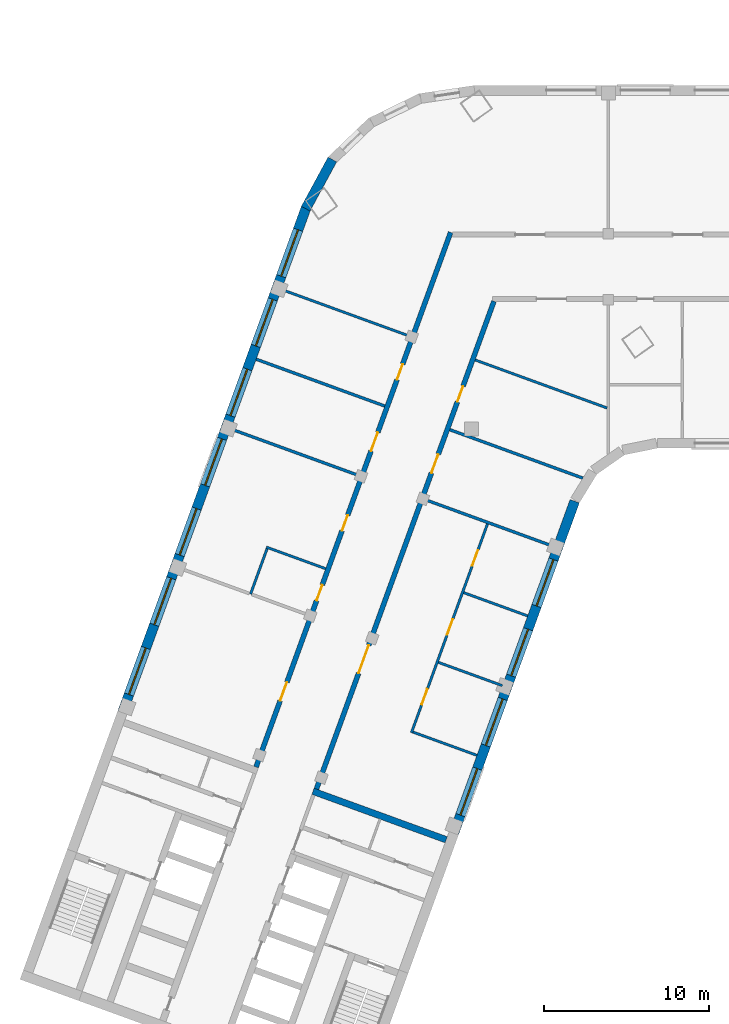
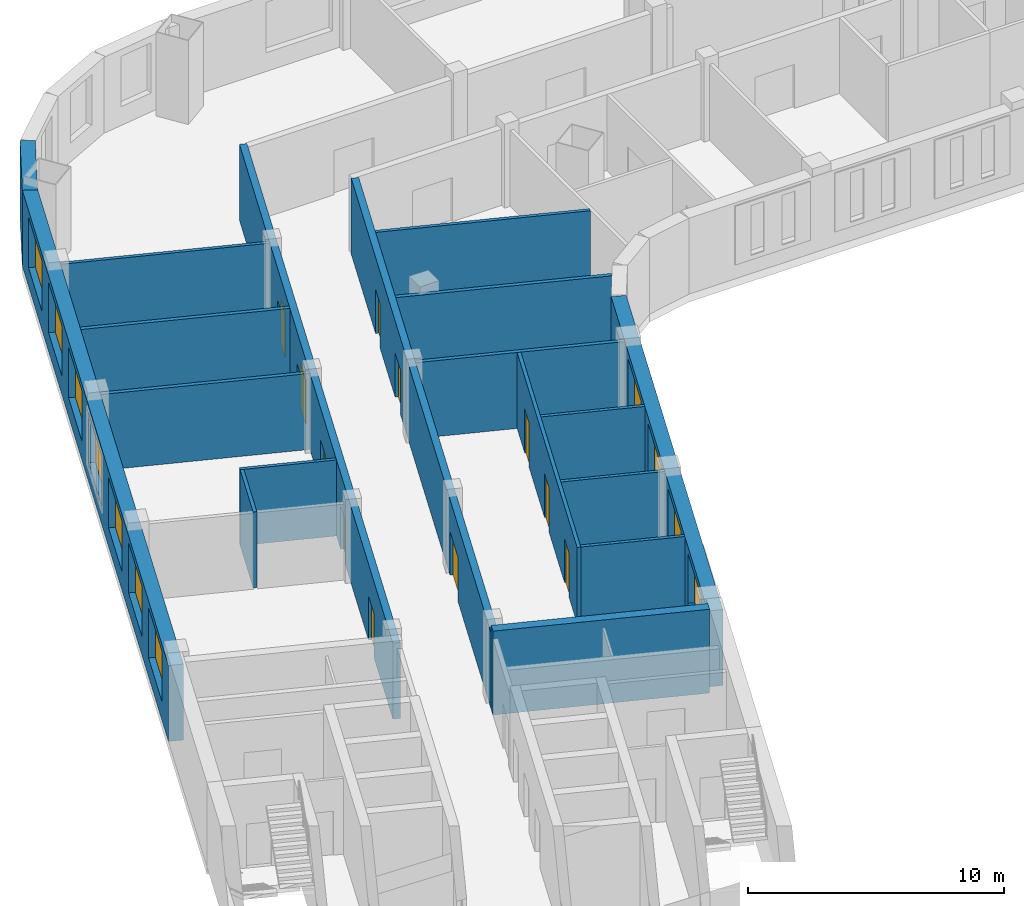
# One storey, part 3 of 14: 18 walls, 11 doors, 11 windows, 22 openings.
"""IFC4 building model written with IfcOpenShell, lengths in metres."""

from ifc_helpers import new_model, si_unit, direction, frame, frame_2d, origin, place, context, subcontext, project, spatial, rectangle, extrude, material, layer, layer_set, type_object, element, fill, save


model = new_model("IFC4")

# Units and contexts
model_context = context("Model", 3, precision=1e-05, world=origin(), true_north=direction((0.0, 1.0)))
body_context = subcontext(model_context, "Body", "Model", "MODEL_VIEW")
ifc_project = project(units=[si_unit("LENGTHUNIT", "METRE"), si_unit("AREAUNIT", "SQUARE_METRE"), si_unit("VOLUMEUNIT", "CUBIC_METRE"), si_unit("PLANEANGLEUNIT", "RADIAN"), si_unit("MASSUNIT", "GRAM", prefix="KILO")], contexts=[model_context])

# Site, building, storey
site_placement = place(None, origin())
site = spatial("IfcSite", under=ifc_project, at=site_placement, CompositionType="ELEMENT")
building_placement = place(site_placement, origin())
building = spatial("IfcBuilding", under=site, at=building_placement, Name="Skarvind Civic Tower", CompositionType="ELEMENT")
storey_placement = place(building_placement, frame((0.0, 0.0, 89.0)))
storey = spatial("IfcBuildingStorey", under=building, at=storey_placement, Name="L20", CompositionType="ELEMENT", Elevation=89.0)

# Walls
ifc_material_1 = material(Name="Acoustic gypsum board on steel studs", Category="steel")
ifc_layer_1 = layer(ifc_material_1, 0.175048828125)
ifc_layer_set_1 = layer_set([ifc_layer_1], Name="ACOUSTIC MEETING-ROOM PARTITION 175")
wall_type_1 = type_object("IfcWallType", Name="ACOUSTIC MEETING-ROOM PARTITION 175", PredefinedType="PARTITIONING", material=ifc_layer_set_1)
wall_1_placement = place(storey_placement, frame((31.35302734375, 118.166015625, 0.0), z_axis=(0.0, 0.0, 1.0), x_axis=(0.939687752599, -0.342033518263, 0.0)))
element("IfcWall", 1, at=wall_1_placement, inside=storey, type_object=wall_type_1, Name="Partition 20.002", PredefinedType="PARTITIONING", context=body_context, shape_type="SweptSolid", body=[
    extrude(rectangle(XDim=8.30078125, YDim=0.175048828125, at=frame_2d((4.150390625, 0.0))), origin(), (0.0, 0.0, 1.0), 3.625),
])
wall_2_placement = place(storey_placement, frame((32.89208984375, 122.39501953125, 0.0), z_axis=(0.0, 0.0, 1.0), x_axis=(0.939684311623, -0.3420429717, 0.0)))
element("IfcWall", 2, at=wall_2_placement, inside=storey, type_object=wall_type_1, Name="Partition 20.006", PredefinedType="PARTITIONING", context=body_context, shape_type="SweptSolid", body=[
    extrude(rectangle(XDim=8.300537109375, YDim=0.175048828125, at=frame_2d((4.150390625, 0.0))), origin(), (0.0, 0.0, 1.0), 3.625),
])
wall_3_placement = place(storey_placement, frame((43.10009765625, 113.89111328125, 0.0), z_axis=(0.0, 0.0, 1.0), x_axis=(0.939670544866, -0.342080790328, 0.0)))
element("IfcWall", 3, at=wall_3_placement, inside=storey, type_object=wall_type_1, Name="Partition 20.011", PredefinedType="PARTITIONING", context=body_context, shape_type="SweptSolid", body=[
    extrude(rectangle(XDim=8.299560546875, YDim=0.175048828125, at=frame_2d((4.14990234375, 0.0))), origin(), (0.0, 0.0, 1.0), 3.625),
])
wall_4_placement = place(storey_placement, frame((44.638916015625, 118.1201171875, 0.0), z_axis=(0.0, 0.0, 1.0), x_axis=(0.939669707102, -0.342083091593, 0.0)))
element("IfcWall", 4, at=wall_4_placement, inside=storey, type_object=wall_type_1, Name="Partition 20.013", PredefinedType="PARTITIONING", context=body_context, shape_type="SweptSolid", body=[
    extrude(rectangle(XDim=8.58935546875, YDim=0.175048828125, at=frame_2d((4.294677734375, 0.0))), origin(), (0.0, 0.0, 1.0), 3.625),
])

# Wall, openings, doors
ifc_material_2 = material(Name="Fire-rated gypsum board on steel studs", Category="steel")
ifc_layer_2 = layer(ifc_material_2, 0.300048828125)
ifc_layer_set_2 = layer_set([ifc_layer_2], Name="CORRIDOR WALL 300")
wall_type_2 = type_object("IfcWallType", Name="CORRIDOR WALL 300", PredefinedType="PARTITIONING", material=ifc_layer_set_2)
wall_5_placement = place(storey_placement, frame((32.881103515625, 97.656982421875, 0.0), z_axis=(0.0, 0.0, 1.0), x_axis=(0.342017360004, 0.939693633828, 0.0)))
wall_5 = element("IfcWall", 5, at=wall_5_placement, inside=storey, type_object=wall_type_2, Name="Partition 20.005", PredefinedType="PARTITIONING", context=body_context, shape_type="SweptSolid", body=[
    extrude(rectangle(XDim=34.515625, YDim=0.300048828125, at=frame_2d((17.2578125, 0.0))), origin(), (0.0, 0.0, 1.0), 3.625),
])
opening_1_placement = place(wall_5_placement, frame((4.27490234375, 0.0, 0.0)))
opening_1 = element("IfcOpeningElement", 6, at=opening_1_placement, cuts=wall_5, Name="Opening L20-D017", PredefinedType="OPENING", context=body_context, shape_type="SweptSolid", body=[
    extrude(rectangle(XDim=1.199951171875, YDim=2.10009765625, at=frame_2d((0.60009765625, 1.050048828125))), frame((0.0, 0.159912109375, 0.0), z_axis=(0.0, -1.0, 0.0), x_axis=(1.0, 0.0, 0.0)), (0.0, 0.0, 1.0), 0.320068359375),
])
opening_2_placement = place(wall_5_placement, frame((10.75, 0.0, 0.0)))
opening_2 = element("IfcOpeningElement", 7, at=opening_2_placement, cuts=wall_5, Name="Opening L20-D018", PredefinedType="OPENING", context=body_context, shape_type="SweptSolid", body=[
    extrude(rectangle(XDim=1.0, YDim=2.10009765625, at=frame_2d((0.5, 1.050048828125))), frame((0.0, 0.159912109375, 0.0), z_axis=(0.0, -1.0, 0.0), x_axis=(1.0, 0.0, 0.0)), (0.0, 0.0, 1.0), 0.320068359375),
])
opening_3_placement = place(wall_5_placement, frame((15.249755859375, 0.0, 0.0)))
opening_3 = element("IfcOpeningElement", 8, at=opening_3_placement, cuts=wall_5, Name="Opening L20-D019", PredefinedType="OPENING", context=body_context, shape_type="SweptSolid", body=[
    extrude(rectangle(XDim=1.0, YDim=2.10009765625, at=frame_2d((0.5, 1.050048828125))), frame((0.0, 0.159912109375, 0.0), z_axis=(0.0, -1.0, 0.0), x_axis=(1.0, 0.0, 0.0)), (0.0, 0.0, 1.0), 0.320068359375),
])
opening_4_placement = place(wall_5_placement, frame((20.39990234375, 0.0, 0.0)))
opening_4 = element("IfcOpeningElement", 9, at=opening_4_placement, cuts=wall_5, Name="Opening L20-D020", PredefinedType="OPENING", context=body_context, shape_type="SweptSolid", body=[
    extrude(rectangle(XDim=1.199951171875, YDim=2.10009765625, at=frame_2d((0.60009765625, 1.050048828125))), frame((0.0, 0.159912109375, 0.0), z_axis=(0.0, -1.0, 0.0), x_axis=(1.0, 0.0, 0.0)), (0.0, 0.0, 1.0), 0.320068359375),
])
opening_5_placement = place(wall_5_placement, frame((25.000244140625, 0.0, 0.0)))
opening_5 = element("IfcOpeningElement", 10, at=opening_5_placement, cuts=wall_5, Name="Opening L20-D021", PredefinedType="OPENING", context=body_context, shape_type="SweptSolid", body=[
    extrude(rectangle(XDim=1.0, YDim=2.10009765625, at=frame_2d((0.5, 1.050048828125))), frame((0.0, 0.159912109375, 0.0), z_axis=(0.0, -1.0, 0.0), x_axis=(1.0, 0.0, 0.0)), (0.0, 0.0, 1.0), 0.320068359375),
])
ifc_material_3 = material(Name="Fire-rated timber door leaf", Category="wood")
door_type_1 = type_object("IfcDoorType", Name="FD1 1000x2100", OperationType="NOTDEFINED", PredefinedType="DOOR", material=ifc_material_3)
door_1_placement = place(opening_2_placement, origin())
door_1 = element("IfcDoor", 11, at=door_1_placement, inside=storey, type_object=door_type_1, Name="Door L20-D018", OperationType="SINGLE_SWING_RIGHT", OverallHeight=2.10009765625, OverallWidth=1.0, PredefinedType="DOOR", context=body_context, shape_type="SweptSolid", body=[
    extrude(rectangle(XDim=1.0, YDim=2.10009765625, at=frame_2d((0.5, 1.050048828125))), frame((0.0, 0.02490234375, 0.0), z_axis=(0.0, -1.0, 0.0), x_axis=(1.0, 0.0, 0.0)), (0.0, 0.0, 1.0), 0.050048828125),
])
fill(opening_2, door_1)
door_2_placement = place(opening_3_placement, origin())
door_2 = element("IfcDoor", 12, at=door_2_placement, inside=storey, type_object=door_type_1, Name="Door L20-D019", OperationType="SINGLE_SWING_LEFT", OverallHeight=2.10009765625, OverallWidth=1.0, PredefinedType="DOOR", context=body_context, shape_type="SweptSolid", body=[
    extrude(rectangle(XDim=1.0, YDim=2.10009765625, at=frame_2d((0.5, 1.050048828125))), frame((0.0, 0.02490234375, 0.0), z_axis=(0.0, -1.0, 0.0), x_axis=(1.0, 0.0, 0.0)), (0.0, 0.0, 1.0), 0.050048828125),
])
fill(opening_3, door_2)
door_3_placement = place(opening_5_placement, origin())
door_3 = element("IfcDoor", 13, at=door_3_placement, inside=storey, type_object=door_type_1, Name="Door L20-D021", OperationType="SINGLE_SWING_RIGHT", OverallHeight=2.10009765625, OverallWidth=1.0, PredefinedType="DOOR", context=body_context, shape_type="SweptSolid", body=[
    extrude(rectangle(XDim=1.0, YDim=2.10009765625, at=frame_2d((0.5, 1.050048828125))), frame((0.0, 0.02490234375, 0.0), z_axis=(0.0, -1.0, 0.0), x_axis=(1.0, 0.0, 0.0)), (0.0, 0.0, 1.0), 0.050048828125),
])
fill(opening_5, door_3)
door_type_2 = type_object("IfcDoorType", Name="FD6 1200x2100 DOUBLE", OperationType="NOTDEFINED", PredefinedType="DOOR", material=ifc_material_3)
door_4_placement = place(opening_1_placement, origin())
door_4 = element("IfcDoor", 14, at=door_4_placement, inside=storey, type_object=door_type_2, Name="Door L20-D017", OperationType="DOUBLE_DOOR_SINGLE_SWING", OverallHeight=2.10009765625, OverallWidth=1.199951171875, PredefinedType="DOOR", context=body_context, shape_type="SweptSolid", body=[
    extrude(rectangle(XDim=1.199951171875, YDim=2.10009765625, at=frame_2d((0.60009765625, 1.050048828125))), frame((0.0, 0.02490234375, 0.0), z_axis=(0.0, -1.0, 0.0), x_axis=(1.0, 0.0, 0.0)), (0.0, 0.0, 1.0), 0.050048828125),
])
fill(opening_1, door_4)
door_5_placement = place(opening_4_placement, origin())
door_5 = element("IfcDoor", 15, at=door_5_placement, inside=storey, type_object=door_type_2, Name="Door L20-D020", OperationType="DOUBLE_DOOR_SINGLE_SWING", OverallHeight=2.10009765625, OverallWidth=1.199951171875, PredefinedType="DOOR", context=body_context, shape_type="SweptSolid", body=[
    extrude(rectangle(XDim=1.199951171875, YDim=2.10009765625, at=frame_2d((0.60009765625, 1.050048828125))), frame((0.0, 0.02490234375, 0.0), z_axis=(0.0, -1.0, 0.0), x_axis=(1.0, 0.0, 0.0)), (0.0, 0.0, 1.0), 0.050048828125),
])
fill(opening_4, door_5)

wall_6_placement = place(storey_placement, frame((47.31396484375, 125.908935546875, 0.0), z_axis=(0.0, 0.0, 1.0), x_axis=(-0.342010770371, -0.939696032209, 0.0)))
wall_6 = element("IfcWall", 16, at=wall_6_placement, inside=storey, type_object=wall_type_2, Name="Partition 20.016", PredefinedType="PARTITIONING", context=body_context, shape_type="SweptSolid", body=[
    extrude(rectangle(XDim=31.484619140625, YDim=0.300048828125, at=frame_2d((15.7421875, 0.0))), origin(), (0.0, 0.0, 1.0), 3.625),
])
opening_6_placement = place(wall_6_placement, frame((22.209716796875, 0.0, 0.0)))
opening_6 = element("IfcOpeningElement", 17, at=opening_6_placement, cuts=wall_6, Name="Opening L20-D025", PredefinedType="OPENING", context=body_context, shape_type="SweptSolid", body=[
    extrude(rectangle(XDim=1.800048828125, YDim=2.10009765625, at=frame_2d((0.89990234375, 1.050048828125))), frame((0.0, 0.159912109375, 0.0), z_axis=(0.0, -1.0, 0.0), x_axis=(1.0, 0.0, 0.0)), (0.0, 0.0, 1.0), 0.320068359375),
])
opening_7_placement = place(wall_6_placement, frame((9.884521484375, 0.0, 0.0)))
opening_7 = element("IfcOpeningElement", 18, at=opening_7_placement, cuts=wall_6, Name="Opening L20-D026", PredefinedType="OPENING", context=body_context, shape_type="SweptSolid", body=[
    extrude(rectangle(XDim=1.199951171875, YDim=2.10009765625, at=frame_2d((0.60009765625, 1.050048828125))), frame((0.0, 0.159912109375, 0.0), z_axis=(0.0, -1.0, 0.0), x_axis=(1.0, 0.0, 0.0)), (0.0, 0.0, 1.0), 0.320068359375),
])
opening_8_placement = place(wall_6_placement, frame((5.484130859375, 0.0, 0.0)))
opening_8 = element("IfcOpeningElement", 19, at=opening_8_placement, cuts=wall_6, Name="Opening L20-D027", PredefinedType="OPENING", context=body_context, shape_type="SweptSolid", body=[
    extrude(rectangle(XDim=1.0, YDim=2.10009765625, at=frame_2d((0.5, 1.050048828125))), frame((0.0, 0.159912109375, 0.0), z_axis=(0.0, -1.0, 0.0), x_axis=(1.0, 0.0, 0.0)), (0.0, 0.0, 1.0), 0.320068359375),
])
door_6_placement = place(opening_8_placement, origin())
door_6 = element("IfcDoor", 20, at=door_6_placement, inside=storey, type_object=door_type_1, Name="Door L20-D027", OperationType="SINGLE_SWING_LEFT", OverallHeight=2.10009765625, OverallWidth=1.0, PredefinedType="DOOR", context=body_context, shape_type="SweptSolid", body=[
    extrude(rectangle(XDim=1.0, YDim=2.10009765625, at=frame_2d((0.5, 1.050048828125))), frame((0.0, 0.02490234375, 0.0), z_axis=(0.0, -1.0, 0.0), x_axis=(1.0, 0.0, 0.0)), (0.0, 0.0, 1.0), 0.050048828125),
])
fill(opening_8, door_6)
door_type_3 = type_object("IfcDoorType", Name="FD4 1800x2100", OperationType="NOTDEFINED", PredefinedType="DOOR", material=ifc_material_3)
door_7_placement = place(opening_6_placement, origin())
door_7 = element("IfcDoor", 21, at=door_7_placement, inside=storey, type_object=door_type_3, Name="Door L20-D025", OperationType="DOUBLE_DOOR_SINGLE_SWING", OverallHeight=2.10009765625, OverallWidth=1.800048828125, PredefinedType="DOOR", context=body_context, shape_type="SweptSolid", body=[
    extrude(rectangle(XDim=1.800048828125, YDim=2.10009765625, at=frame_2d((0.89990234375, 1.050048828125))), frame((0.0, 0.02490234375, 0.0), z_axis=(0.0, -1.0, 0.0), x_axis=(1.0, 0.0, 0.0)), (0.0, 0.0, 1.0), 0.050048828125),
])
fill(opening_6, door_7)
door_8_placement = place(opening_7_placement, origin())
door_8 = element("IfcDoor", 22, at=door_8_placement, inside=storey, type_object=door_type_2, Name="Door L20-D026", OperationType="DOUBLE_DOOR_SINGLE_SWING", OverallHeight=2.10009765625, OverallWidth=1.199951171875, PredefinedType="DOOR", context=body_context, shape_type="SweptSolid", body=[
    extrude(rectangle(XDim=1.199951171875, YDim=2.10009765625, at=frame_2d((0.60009765625, 1.050048828125))), frame((0.0, 0.02490234375, 0.0), z_axis=(0.0, -1.0, 0.0), x_axis=(1.0, 0.0, 0.0)), (0.0, 0.0, 1.0), 0.050048828125),
])
fill(opening_7, door_8)

# Walls
ifc_material_4 = material(Name="Concrete C80", Category="concrete")
ifc_layer_3 = layer(ifc_material_4, 0.39990234375)
ifc_layer_set_3 = layer_set([ifc_layer_3], Name="Core wall 400 C80")
wall_type_3 = type_object("IfcWallType", Name="Core wall 400 C80", PredefinedType="SHEAR", material=ifc_layer_set_3)
wall_7_placement = place(storey_placement, frame((44.417724609375, 93.2451171875, 0.0), z_axis=(0.0, 0.0, 1.0), x_axis=(-0.93969060187, 0.342025690201, 0.0)))
element("IfcWall", 23, at=wall_7_placement, inside=storey, type_object=wall_type_3, Name="Core wall C2 south inner face L20", PredefinedType="SHEAR", context=body_context, shape_type="SweptSolid", body=[
    extrude(rectangle(XDim=8.599853515625, YDim=0.39990234375, at=frame_2d((4.2998046875, 0.0))), origin(), (0.0, 0.0, 1.0), 4.0),
])
ifc_material_5 = material(Name="Plasterboard partition on steel studs", Category="steel")
ifc_layer_4 = layer(ifc_material_5, 0.14990234375)
ifc_layer_set_4 = layer_set([ifc_layer_4], Name="PARTITION 150")
wall_type_4 = type_object("IfcWallType", Name="PARTITION 150", PredefinedType="PARTITIONING", material=ifc_layer_set_4)
wall_8_placement = place(storey_placement, frame((32.551025390625, 108.153076171875, 0.0), z_axis=(0.0, 0.0, 1.0), x_axis=(0.341850278959, 0.939754428974, 0.0)))
element("IfcWall", 24, at=wall_8_placement, inside=storey, type_object=wall_type_4, Name="Partition 20.004", PredefinedType="PARTITIONING", context=body_context, shape_type="SweptSolid", body=[
    extrude(rectangle(XDim=2.92529296875, YDim=0.14990234375, at=frame_2d((1.462646484375, 0.0))), origin(), (0.0, 0.0, 1.0), 3.625),
])
wall_9_placement = place(storey_placement, frame((33.507080078125, 110.998046875, 0.0), z_axis=(0.0, 0.0, 1.0), x_axis=(0.939610657605, -0.342245251415, 0.0)))
element("IfcWall", 25, at=wall_9_placement, inside=storey, type_object=wall_type_4, Name="Partition 20.007", PredefinedType="PARTITIONING", context=body_context, shape_type="SweptSolid", body=[
    extrude(rectangle(XDim=3.824951171875, YDim=0.14990234375, at=frame_2d((1.91259765625, 0.0))), origin(), (0.0, 0.0, 1.0), 3.625),
])
wall_10_placement = place(storey_placement, frame((46.281982421875, 98.366943359375, 0.0), z_axis=(0.0, 0.0, 1.0), x_axis=(-0.939765774653, 0.341819087808, 0.0)))
element("IfcWall", 26, at=wall_10_placement, inside=storey, type_object=wall_type_4, Name="Partition 20.008", PredefinedType="PARTITIONING", context=body_context, shape_type="SweptSolid", body=[
    extrude(rectangle(XDim=4.12548828125, YDim=0.14990234375, at=frame_2d((2.062744140625, 0.0))), origin(), (0.0, 0.0, 1.0), 3.625),
])

# Wall, openings, doors
wall_11_placement = place(storey_placement, frame((42.30908203125, 99.73291015625, 0.0), z_axis=(0.0, 0.0, 1.0), x_axis=(0.342023551531, 0.939691380293, 0.0)))
wall_11 = element("IfcWall", 27, at=wall_11_placement, inside=storey, type_object=wall_type_4, Name="Partition 20.009", PredefinedType="PARTITIONING", context=body_context, shape_type="SweptSolid", body=[
    extrude(rectangle(XDim=13.487548828125, YDim=0.14990234375, at=frame_2d((6.74365234375, 0.0))), origin(), (0.0, 0.0, 1.0), 3.625),
])
opening_9_placement = place(wall_11_placement, frame((1.82470703125, 0.0, 0.0)))
opening_9 = element("IfcOpeningElement", 28, at=opening_9_placement, cuts=wall_11, Name="Opening L20-D022", PredefinedType="OPENING", context=body_context, shape_type="SweptSolid", body=[
    extrude(rectangle(XDim=1.0, YDim=2.10009765625, at=frame_2d((0.5, 1.050048828125))), frame((0.0, 0.0849609375, 0.0), z_axis=(0.0, -1.0, 0.0), x_axis=(1.0, 0.0, 0.0)), (0.0, 0.0, 1.0), 0.169921875),
])
opening_10_placement = place(wall_11_placement, frame((6.32470703125, 0.0, 0.0)))
opening_10 = element("IfcOpeningElement", 29, at=opening_10_placement, cuts=wall_11, Name="Opening L20-D023", PredefinedType="OPENING", context=body_context, shape_type="SweptSolid", body=[
    extrude(rectangle(XDim=1.0, YDim=2.10009765625, at=frame_2d((0.5, 1.050048828125))), frame((0.0, 0.0849609375, 0.0), z_axis=(0.0, -1.0, 0.0), x_axis=(1.0, 0.0, 0.0)), (0.0, 0.0, 1.0), 0.169921875),
])
opening_11_placement = place(wall_11_placement, frame((10.791015625, 0.0, 0.0)))
opening_11 = element("IfcOpeningElement", 30, at=opening_11_placement, cuts=wall_11, Name="Opening L20-D024", PredefinedType="OPENING", context=body_context, shape_type="SweptSolid", body=[
    extrude(rectangle(XDim=1.0, YDim=2.10009765625, at=frame_2d((0.5, 1.050048828125))), frame((0.0, 0.0849609375, 0.0), z_axis=(0.0, -1.0, 0.0), x_axis=(1.0, 0.0, 0.0)), (0.0, 0.0, 1.0), 0.169921875),
])
ifc_material_6 = material(Name="Timber door leaf", Category="wood")
door_type_4 = type_object("IfcDoorType", Name="D1 1000x2100", OperationType="NOTDEFINED", PredefinedType="DOOR", material=ifc_material_6)
door_9_placement = place(opening_9_placement, origin())
door_9 = element("IfcDoor", 31, at=door_9_placement, inside=storey, type_object=door_type_4, Name="Door L20-D022", OperationType="SINGLE_SWING_LEFT", OverallHeight=2.10009765625, OverallWidth=1.0, PredefinedType="DOOR", context=body_context, shape_type="SweptSolid", body=[
    extrude(rectangle(XDim=1.0, YDim=2.10009765625, at=frame_2d((0.5, 1.050048828125))), frame((0.0, 0.02490234375, 0.0), z_axis=(0.0, -1.0, 0.0), x_axis=(1.0, 0.0, 0.0)), (0.0, 0.0, 1.0), 0.050048828125),
])
fill(opening_9, door_9)
door_10_placement = place(opening_10_placement, origin())
door_10 = element("IfcDoor", 32, at=door_10_placement, inside=storey, type_object=door_type_4, Name="Door L20-D023", OperationType="SINGLE_SWING_LEFT", OverallHeight=2.10009765625, OverallWidth=1.0, PredefinedType="DOOR", context=body_context, shape_type="SweptSolid", body=[
    extrude(rectangle(XDim=1.0, YDim=2.10009765625, at=frame_2d((0.5, 1.050048828125))), frame((0.0, 0.02490234375, 0.0), z_axis=(0.0, -1.0, 0.0), x_axis=(1.0, 0.0, 0.0)), (0.0, 0.0, 1.0), 0.050048828125),
])
fill(opening_10, door_10)
door_11_placement = place(opening_11_placement, origin())
door_11 = element("IfcDoor", 33, at=door_11_placement, inside=storey, type_object=door_type_4, Name="Door L20-D024", OperationType="SINGLE_SWING_LEFT", OverallHeight=2.10009765625, OverallWidth=1.0, PredefinedType="DOOR", context=body_context, shape_type="SweptSolid", body=[
    extrude(rectangle(XDim=1.0, YDim=2.10009765625, at=frame_2d((0.5, 1.050048828125))), frame((0.0, 0.02490234375, 0.0), z_axis=(0.0, -1.0, 0.0), x_axis=(1.0, 0.0, 0.0)), (0.0, 0.0, 1.0), 0.050048828125),
])
fill(opening_11, door_11)

# Walls
wall_12_placement = place(storey_placement, frame((42.23095703125, 123.784912109375, 0.0), z_axis=(0.0, 0.0, 1.0), x_axis=(-0.939687752599, 0.342033518263, 0.0)))
element("IfcWall", 34, at=wall_12_placement, inside=storey, type_object=wall_type_4, Name="Partition 20.010", PredefinedType="PARTITIONING", context=body_context, shape_type="SweptSolid", body=[
    extrude(rectangle(XDim=8.30078125, YDim=0.14990234375, at=frame_2d((4.150390625, 0.0))), origin(), (0.0, 0.0, 1.0), 3.625),
])
wall_13_placement = place(storey_placement, frame((43.944091796875, 104.006103515625, 0.0), z_axis=(0.0, 0.0, 1.0), x_axis=(0.939689717042, -0.34202812119, 0.0)))
element("IfcWall", 35, at=wall_13_placement, inside=storey, type_object=wall_type_4, Name="Partition 20.012", PredefinedType="PARTITIONING", context=body_context, shape_type="SweptSolid", body=[
    extrude(rectangle(XDim=4.125732421875, YDim=0.14990234375, at=frame_2d((2.06298828125, 0.0))), origin(), (0.0, 0.0, 1.0), 3.625),
])
wall_14_placement = place(storey_placement, frame((45.48291015625, 108.23388671875, 0.0), z_axis=(0.0, 0.0, 1.0), x_axis=(0.939791695678, -0.341747814529, 0.0)))
element("IfcWall", 36, at=wall_14_placement, inside=storey, type_object=wall_type_4, Name="Partition 20.015", PredefinedType="PARTITIONING", context=body_context, shape_type="SweptSolid", body=[
    extrude(rectangle(XDim=4.12548828125, YDim=0.14990234375, at=frame_2d((2.062744140625, 0.0))), origin(), (0.0, 0.0, 1.0), 3.625),
])
wall_15_placement = place(storey_placement, frame((54.179931640625, 119.43603515625, 0.0), z_axis=(0.0, 0.0, 1.0), x_axis=(-0.939669476286, 0.342083725624, 0.0)))
element("IfcWall", 37, at=wall_15_placement, inside=storey, type_object=wall_type_4, Name="Partition 20.018", PredefinedType="PARTITIONING", context=body_context, shape_type="SweptSolid", body=[
    extrude(rectangle(XDim=8.515625, YDim=0.14990234375, at=frame_2d((4.2578125, 0.0))), origin(), (0.0, 0.0, 1.0), 3.625),
])

# Wall, openings, windows
ifc_material_7 = material(Name="Limestone masonry cladding on insulated backing", Category="masonry")
ifc_layer_5 = layer(ifc_material_7, 0.60009765625)
ifc_layer_set_5 = layer_set([ifc_layer_5], Name="WX1 STONE FACADE WALL 600")
wall_type_5 = type_object("IfcWallType", Name="WX1 STONE FACADE WALL 600", PredefinedType="SOLIDWALL", material=ifc_layer_set_5)
wall_16_placement = place(storey_placement, frame((52.212158203125, 113.78271484375, 0.0), z_axis=(0.0, 0.0, 1.0), x_axis=(-0.34202521188, -0.939690775968, 0.0)))
wall_16 = element("IfcWall", 38, at=wall_16_placement, inside=storey, type_object=wall_type_5, Name="STONE FACADE WALL", PredefinedType="SOLIDWALL", context=body_context, shape_type="SweptSolid", body=[
    extrude(rectangle(XDim=21.744873046875, YDim=0.60009765625, at=frame_2d((10.87255859375, 0.0))), origin(), (0.0, 0.0, 1.0), 3.625),
])
opening_12_placement = place(wall_16_placement, frame((3.764892578125, 0.0, 0.89990234375)))
opening_12 = element("IfcOpeningElement", 39, at=opening_12_placement, cuts=wall_16, Name="Opening WN1", PredefinedType="OPENING", context=body_context, shape_type="SweptSolid", body=[
    extrude(rectangle(XDim=3.0, YDim=2.39990234375, at=frame_2d((1.5, 1.199951171875))), frame((0.0, 0.31005859375, 0.0), z_axis=(0.0, -1.0, 0.0), x_axis=(1.0, 0.0, 0.0)), (0.0, 0.0, 1.0), 0.6201171875),
])
opening_13_placement = place(wall_16_placement, frame((8.264892578125, 0.0, 0.89990234375)))
opening_13 = element("IfcOpeningElement", 40, at=opening_13_placement, cuts=wall_16, Name="Opening WN1", PredefinedType="OPENING", context=body_context, shape_type="SweptSolid", body=[
    extrude(rectangle(XDim=3.0, YDim=2.39990234375, at=frame_2d((1.5, 1.199951171875))), frame((0.0, 0.31005859375, 0.0), z_axis=(0.0, -1.0, 0.0), x_axis=(1.0, 0.0, 0.0)), (0.0, 0.0, 1.0), 0.6201171875),
])
opening_14_placement = place(wall_16_placement, frame((12.764892578125, 0.0, 0.89990234375)))
opening_14 = element("IfcOpeningElement", 41, at=opening_14_placement, cuts=wall_16, Name="Opening WN1", PredefinedType="OPENING", context=body_context, shape_type="SweptSolid", body=[
    extrude(rectangle(XDim=3.0, YDim=2.39990234375, at=frame_2d((1.5, 1.199951171875))), frame((0.0, 0.31005859375, 0.0), z_axis=(0.0, -1.0, 0.0), x_axis=(1.0, 0.0, 0.0)), (0.0, 0.0, 1.0), 0.6201171875),
])
opening_15_placement = place(wall_16_placement, frame((17.264892578125, 0.0, 0.89990234375)))
opening_15 = element("IfcOpeningElement", 42, at=opening_15_placement, cuts=wall_16, Name="Opening WN1", PredefinedType="OPENING", context=body_context, shape_type="SweptSolid", body=[
    extrude(rectangle(XDim=3.0, YDim=2.39990234375, at=frame_2d((1.5, 1.199951171875))), frame((0.0, 0.31005859375, 0.0), z_axis=(0.0, -1.0, 0.0), x_axis=(1.0, 0.0, 0.0)), (0.0, 0.0, 1.0), 0.6201171875),
])
ifc_material_8 = material(Name="Timber frame, double glazing, timber-lined reveal", Category="wood")
window_type = type_object("IfcWindowType", Name="WN1 PUNCHED STONE WINDOW 3000 x 2400", PartitioningType="SINGLE_PANEL", PredefinedType="WINDOW", material=ifc_material_8)
window_1_placement = place(opening_12_placement, origin())
window_1 = element("IfcWindow", 43, at=window_1_placement, inside=storey, type_object=window_type, Name="WN1 WINDOW", OverallHeight=2.39990234375, OverallWidth=3.0, PartitioningType="SINGLE_PANEL", PredefinedType="WINDOW", context=body_context, shape_type="SweptSolid", body=[
    extrude(rectangle(XDim=3.0, YDim=2.39990234375, at=frame_2d((1.5, 1.199951171875))), frame((0.0, 0.030029296875, 0.0), z_axis=(0.0, -1.0, 0.0), x_axis=(1.0, 0.0, 0.0)), (0.0, 0.0, 1.0), 0.06005859375),
])
fill(opening_12, window_1)
window_2_placement = place(opening_13_placement, origin())
window_2 = element("IfcWindow", 44, at=window_2_placement, inside=storey, type_object=window_type, Name="WN1 WINDOW", OverallHeight=2.39990234375, OverallWidth=3.0, PartitioningType="SINGLE_PANEL", PredefinedType="WINDOW", context=body_context, shape_type="SweptSolid", body=[
    extrude(rectangle(XDim=3.0, YDim=2.39990234375, at=frame_2d((1.5, 1.199951171875))), frame((0.0, 0.030029296875, 0.0), z_axis=(0.0, -1.0, 0.0), x_axis=(1.0, 0.0, 0.0)), (0.0, 0.0, 1.0), 0.06005859375),
])
fill(opening_13, window_2)
window_3_placement = place(opening_14_placement, origin())
window_3 = element("IfcWindow", 45, at=window_3_placement, inside=storey, type_object=window_type, Name="WN1 WINDOW", OverallHeight=2.39990234375, OverallWidth=3.0, PartitioningType="SINGLE_PANEL", PredefinedType="WINDOW", context=body_context, shape_type="SweptSolid", body=[
    extrude(rectangle(XDim=3.0, YDim=2.39990234375, at=frame_2d((1.5, 1.199951171875))), frame((0.0, 0.030029296875, 0.0), z_axis=(0.0, -1.0, 0.0), x_axis=(1.0, 0.0, 0.0)), (0.0, 0.0, 1.0), 0.06005859375),
])
fill(opening_14, window_3)
window_4_placement = place(opening_15_placement, origin())
window_4 = element("IfcWindow", 46, at=window_4_placement, inside=storey, type_object=window_type, Name="WN1 WINDOW", OverallHeight=2.39990234375, OverallWidth=3.0, PartitioningType="SINGLE_PANEL", PredefinedType="WINDOW", context=body_context, shape_type="SweptSolid", body=[
    extrude(rectangle(XDim=3.0, YDim=2.39990234375, at=frame_2d((1.5, 1.199951171875))), frame((0.0, 0.030029296875, 0.0), z_axis=(0.0, -1.0, 0.0), x_axis=(1.0, 0.0, 0.0)), (0.0, 0.0, 1.0), 0.06005859375),
])
fill(opening_15, window_4)

# Wall
wall_17_placement = place(storey_placement, frame((35.89453125, 131.529541015625, 0.0), z_axis=(0.0, 0.0, 1.0), x_axis=(0.476531180538, 0.879157570618, 0.0)))
element("IfcWall", 47, at=wall_17_placement, inside=storey, type_object=wall_type_5, Name="STONE FACADE WALL", PredefinedType="SOLIDWALL", context=body_context, shape_type="SweptSolid", body=[
    extrude(rectangle(XDim=3.392578125, YDim=0.60009765625, at=frame_2d((1.6962890625, 0.0))), origin(), (0.0, 0.0, 1.0), 3.625),
])

# Wall, openings, windows
wall_18_placement = place(storey_placement, frame((24.66552734375, 100.668701171875, 0.0), z_axis=(0.0, 0.0, 1.0), x_axis=(0.34201964167, 0.939692803373, 0.0)))
wall_18 = element("IfcWall", 48, at=wall_18_placement, inside=storey, type_object=wall_type_5, Name="STONE FACADE WALL", PredefinedType="SOLIDWALL", context=body_context, shape_type="SweptSolid", body=[
    extrude(rectangle(XDim=32.88427734375, YDim=0.60009765625, at=frame_2d((16.442138671875, 0.0))), origin(), (0.0, 0.0, 1.0), 3.625),
])
opening_16_placement = place(wall_18_placement, frame((1.47998046875, 0.0, 0.89990234375)))
opening_16 = element("IfcOpeningElement", 49, at=opening_16_placement, cuts=wall_18, Name="Opening WN1", PredefinedType="OPENING", context=body_context, shape_type="SweptSolid", body=[
    extrude(rectangle(XDim=3.0, YDim=2.39990234375, at=frame_2d((1.5, 1.199951171875))), frame((0.0, 0.31005859375, 0.0), z_axis=(0.0, -1.0, 0.0), x_axis=(1.0, 0.0, 0.0)), (0.0, 0.0, 1.0), 0.6201171875),
])
opening_17_placement = place(wall_18_placement, frame((5.97998046875, 0.0, 0.89990234375)))
opening_17 = element("IfcOpeningElement", 50, at=opening_17_placement, cuts=wall_18, Name="Opening WN1", PredefinedType="OPENING", context=body_context, shape_type="SweptSolid", body=[
    extrude(rectangle(XDim=3.0, YDim=2.39990234375, at=frame_2d((1.5, 1.199951171875))), frame((0.0, 0.31005859375, 0.0), z_axis=(0.0, -1.0, 0.0), x_axis=(1.0, 0.0, 0.0)), (0.0, 0.0, 1.0), 0.6201171875),
])
opening_18_placement = place(wall_18_placement, frame((10.47998046875, 0.0, 0.89990234375)))
opening_18 = element("IfcOpeningElement", 51, at=opening_18_placement, cuts=wall_18, Name="Opening WN1", PredefinedType="OPENING", context=body_context, shape_type="SweptSolid", body=[
    extrude(rectangle(XDim=3.0, YDim=2.39990234375, at=frame_2d((1.5, 1.199951171875))), frame((0.0, 0.31005859375, 0.0), z_axis=(0.0, -1.0, 0.0), x_axis=(1.0, 0.0, 0.0)), (0.0, 0.0, 1.0), 0.6201171875),
])
opening_19_placement = place(wall_18_placement, frame((14.97998046875, 0.0, 0.89990234375)))
opening_19 = element("IfcOpeningElement", 52, at=opening_19_placement, cuts=wall_18, Name="Opening WN1", PredefinedType="OPENING", context=body_context, shape_type="SweptSolid", body=[
    extrude(rectangle(XDim=3.0, YDim=2.39990234375, at=frame_2d((1.5, 1.199951171875))), frame((0.0, 0.31005859375, 0.0), z_axis=(0.0, -1.0, 0.0), x_axis=(1.0, 0.0, 0.0)), (0.0, 0.0, 1.0), 0.6201171875),
])
opening_20_placement = place(wall_18_placement, frame((19.47998046875, 0.0, 0.89990234375)))
opening_20 = element("IfcOpeningElement", 53, at=opening_20_placement, cuts=wall_18, Name="Opening WN1", PredefinedType="OPENING", context=body_context, shape_type="SweptSolid", body=[
    extrude(rectangle(XDim=3.0, YDim=2.39990234375, at=frame_2d((1.5, 1.199951171875))), frame((0.0, 0.31005859375, 0.0), z_axis=(0.0, -1.0, 0.0), x_axis=(1.0, 0.0, 0.0)), (0.0, 0.0, 1.0), 0.6201171875),
])
opening_21_placement = place(wall_18_placement, frame((23.97998046875, 0.0, 0.89990234375)))
opening_21 = element("IfcOpeningElement", 54, at=opening_21_placement, cuts=wall_18, Name="Opening WN1", PredefinedType="OPENING", context=body_context, shape_type="SweptSolid", body=[
    extrude(rectangle(XDim=3.0, YDim=2.39990234375, at=frame_2d((1.5, 1.199951171875))), frame((0.0, 0.31005859375, 0.0), z_axis=(0.0, -1.0, 0.0), x_axis=(1.0, 0.0, 0.0)), (0.0, 0.0, 1.0), 0.6201171875),
])
opening_22_placement = place(wall_18_placement, frame((28.47998046875, 0.0, 0.89990234375)))
opening_22 = element("IfcOpeningElement", 55, at=opening_22_placement, cuts=wall_18, Name="Opening WN1", PredefinedType="OPENING", context=body_context, shape_type="SweptSolid", body=[
    extrude(rectangle(XDim=3.0, YDim=2.39990234375, at=frame_2d((1.5, 1.199951171875))), frame((0.0, 0.31005859375, 0.0), z_axis=(0.0, -1.0, 0.0), x_axis=(1.0, 0.0, 0.0)), (0.0, 0.0, 1.0), 0.6201171875),
])
window_5_placement = place(opening_16_placement, origin())
window_5 = element("IfcWindow", 56, at=window_5_placement, inside=storey, type_object=window_type, Name="WN1 WINDOW", OverallHeight=2.39990234375, OverallWidth=3.0, PartitioningType="SINGLE_PANEL", PredefinedType="WINDOW", context=body_context, shape_type="SweptSolid", body=[
    extrude(rectangle(XDim=3.0, YDim=2.39990234375, at=frame_2d((1.5, 1.199951171875))), frame((0.0, 0.030029296875, 0.0), z_axis=(0.0, -1.0, 0.0), x_axis=(1.0, 0.0, 0.0)), (0.0, 0.0, 1.0), 0.06005859375),
])
fill(opening_16, window_5)
window_6_placement = place(opening_17_placement, origin())
window_6 = element("IfcWindow", 57, at=window_6_placement, inside=storey, type_object=window_type, Name="WN1 WINDOW", OverallHeight=2.39990234375, OverallWidth=3.0, PartitioningType="SINGLE_PANEL", PredefinedType="WINDOW", context=body_context, shape_type="SweptSolid", body=[
    extrude(rectangle(XDim=3.0, YDim=2.39990234375, at=frame_2d((1.5, 1.199951171875))), frame((0.0, 0.030029296875, 0.0), z_axis=(0.0, -1.0, 0.0), x_axis=(1.0, 0.0, 0.0)), (0.0, 0.0, 1.0), 0.06005859375),
])
fill(opening_17, window_6)
window_7_placement = place(opening_18_placement, origin())
window_7 = element("IfcWindow", 58, at=window_7_placement, inside=storey, type_object=window_type, Name="WN1 WINDOW", OverallHeight=2.39990234375, OverallWidth=3.0, PartitioningType="SINGLE_PANEL", PredefinedType="WINDOW", context=body_context, shape_type="SweptSolid", body=[
    extrude(rectangle(XDim=3.0, YDim=2.39990234375, at=frame_2d((1.5, 1.199951171875))), frame((0.0, 0.030029296875, 0.0), z_axis=(0.0, -1.0, 0.0), x_axis=(1.0, 0.0, 0.0)), (0.0, 0.0, 1.0), 0.06005859375),
])
fill(opening_18, window_7)
window_8_placement = place(opening_19_placement, origin())
window_8 = element("IfcWindow", 59, at=window_8_placement, inside=storey, type_object=window_type, Name="WN1 WINDOW", OverallHeight=2.39990234375, OverallWidth=3.0, PartitioningType="SINGLE_PANEL", PredefinedType="WINDOW", context=body_context, shape_type="SweptSolid", body=[
    extrude(rectangle(XDim=3.0, YDim=2.39990234375, at=frame_2d((1.5, 1.199951171875))), frame((0.0, 0.030029296875, 0.0), z_axis=(0.0, -1.0, 0.0), x_axis=(1.0, 0.0, 0.0)), (0.0, 0.0, 1.0), 0.06005859375),
])
fill(opening_19, window_8)
window_9_placement = place(opening_20_placement, origin())
window_9 = element("IfcWindow", 60, at=window_9_placement, inside=storey, type_object=window_type, Name="WN1 WINDOW", OverallHeight=2.39990234375, OverallWidth=3.0, PartitioningType="SINGLE_PANEL", PredefinedType="WINDOW", context=body_context, shape_type="SweptSolid", body=[
    extrude(rectangle(XDim=3.0, YDim=2.39990234375, at=frame_2d((1.5, 1.199951171875))), frame((0.0, 0.030029296875, 0.0), z_axis=(0.0, -1.0, 0.0), x_axis=(1.0, 0.0, 0.0)), (0.0, 0.0, 1.0), 0.06005859375),
])
fill(opening_20, window_9)
window_10_placement = place(opening_21_placement, origin())
window_10 = element("IfcWindow", 61, at=window_10_placement, inside=storey, type_object=window_type, Name="WN1 WINDOW", OverallHeight=2.39990234375, OverallWidth=3.0, PartitioningType="SINGLE_PANEL", PredefinedType="WINDOW", context=body_context, shape_type="SweptSolid", body=[
    extrude(rectangle(XDim=3.0, YDim=2.39990234375, at=frame_2d((1.5, 1.199951171875))), frame((0.0, 0.030029296875, 0.0), z_axis=(0.0, -1.0, 0.0), x_axis=(1.0, 0.0, 0.0)), (0.0, 0.0, 1.0), 0.06005859375),
])
fill(opening_21, window_10)
window_11_placement = place(opening_22_placement, origin())
window_11 = element("IfcWindow", 62, at=window_11_placement, inside=storey, type_object=window_type, Name="WN1 WINDOW", OverallHeight=2.39990234375, OverallWidth=3.0, PartitioningType="SINGLE_PANEL", PredefinedType="WINDOW", context=body_context, shape_type="SweptSolid", body=[
    extrude(rectangle(XDim=3.0, YDim=2.39990234375, at=frame_2d((1.5, 1.199951171875))), frame((0.0, 0.030029296875, 0.0), z_axis=(0.0, -1.0, 0.0), x_axis=(1.0, 0.0, 0.0)), (0.0, 0.0, 1.0), 0.06005859375),
])
fill(opening_22, window_11)

save(model, "model.ifc")
